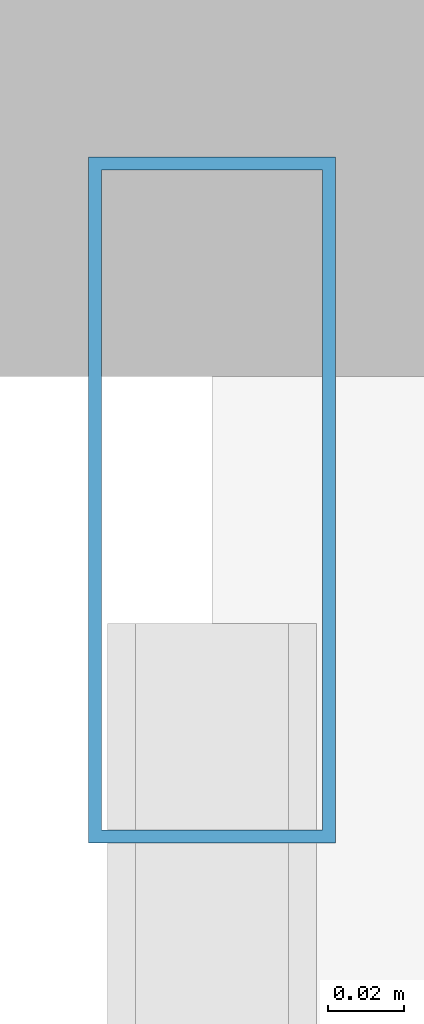
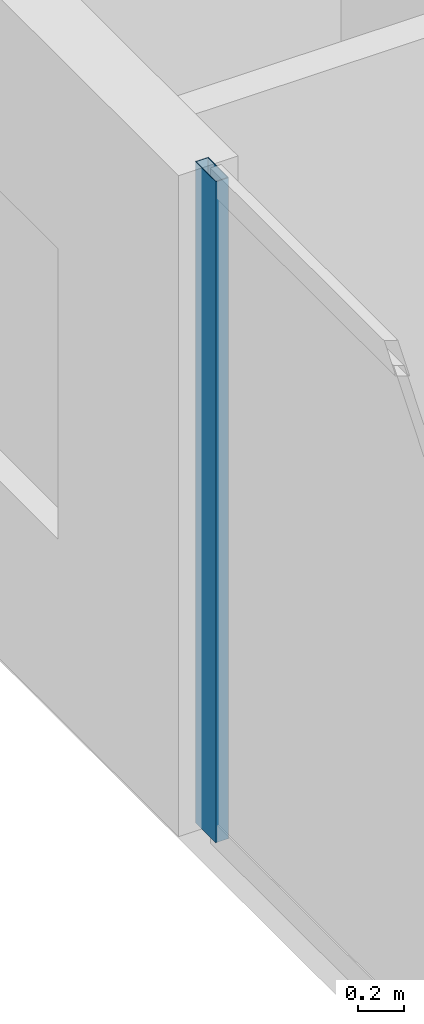
# One storey, part 15 of 32: 1 member, 1 element without a shape of its own.
"""IFC4 building model written with IfcOpenShell, lengths in metres."""

from ifc_helpers import new_model, si_unit, direction, frame, origin, origin_2d, place, context, subcontext, project, spatial, hollow_rectangle, extrude, material, layer, layer_set, material_profile, profile_set, type_object, element, aggregate, save


model = new_model("IFC4")

# Units and contexts
model_context = context("Model", 3, precision=1e-05, world=origin(), true_north=direction((0.0, 1.0)))
body_context = subcontext(model_context, "Body", "Model", "MODEL_VIEW")
ifc_project = project(units=[si_unit("LENGTHUNIT", "METRE"), si_unit("AREAUNIT", "SQUARE_METRE"), si_unit("VOLUMEUNIT", "CUBIC_METRE"), si_unit("PLANEANGLEUNIT", "RADIAN"), si_unit("MASSUNIT", "GRAM", prefix="KILO")], contexts=[model_context])

# Site, building, storey
site_placement = place(None, origin())
site = spatial("IfcSite", under=ifc_project, at=site_placement, CompositionType="ELEMENT")
building_placement = place(site_placement, origin())
building = spatial("IfcBuilding", under=site, at=building_placement, Name="Zuhayl Quay Hotel", CompositionType="ELEMENT")
storey_placement = place(building_placement, frame((0.0, 0.0, 177.39990234375)))
storey = spatial("IfcBuildingStorey", under=building, at=storey_placement, Name="L44", CompositionType="ELEMENT", Elevation=177.39990234375)

# Curtain wall, member
ifc_material_1 = material(Name="Anodised Aluminium 6063-T6", Category="aluminium")
ifc_layer = layer(ifc_material_1, 0.175048828125, Name="Anodised Aluminium 6063-T6", Category="aluminium")
ifc_layer_set = layer_set([ifc_layer], Name="Anodised Aluminium 6063-T6")
curtain_wall_type = type_object("IfcCurtainWallType", Name="CW_SYS_Z3", PredefinedType="USERDEFINED", material=ifc_layer_set)
curtain_wall_placement = place(storey_placement, origin())
curtain_wall = element("IfcCurtainWall", 1, at=curtain_wall_placement, inside=storey, type_object=curtain_wall_type, Name="L44 Curtain Wall ENV_L44_E05_CW1", ObjectType="UNITISED CURTAIN WALL", PredefinedType="USERDEFINED")
ifc_material_2 = material(Name="Black-anodised aluminium 6063-T6", Category="aluminium")
ifc_material_profile = material_profile(ifc_material_2, hollow_rectangle(XDim=0.06494140625, YDim=0.179931640625, WallThickness=0.00341796875, at=origin_2d()), Name="ALU180X65")
ifc_profile_set = profile_set([ifc_material_profile], Name="Black-anodised aluminium 6063-T6")
member_type = type_object("IfcMemberType", Name="MB_CW_MUL_180", PredefinedType="MULLION", material=ifc_profile_set)
member_placement = place(storey_placement, frame((-22.10009765625, 26.367431640625, 0.0), z_axis=(0.0, 0.0, 1.0), x_axis=(-1.0, 0.0, 0.0)))
member = element("IfcMember", 2, at=member_placement, type_object=member_type, Name="CW-Z3 mullion 2", PredefinedType="MULLION", context=body_context, shape_type="SweptSolid", body=[
    extrude(hollow_rectangle(XDim=0.06494140625, YDim=0.179931640625, WallThickness=0.00341796875, at=origin_2d()), origin(), (0.0, 0.0, 1.0), 3.530029296875),
])
aggregate(curtain_wall, [member])

save(model, "model.ifc")
